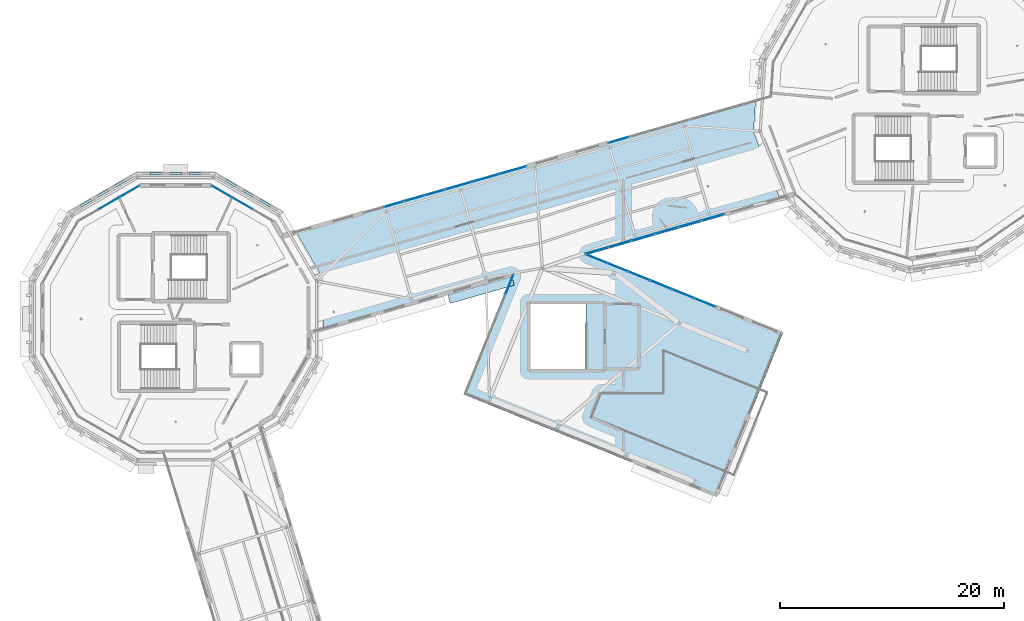
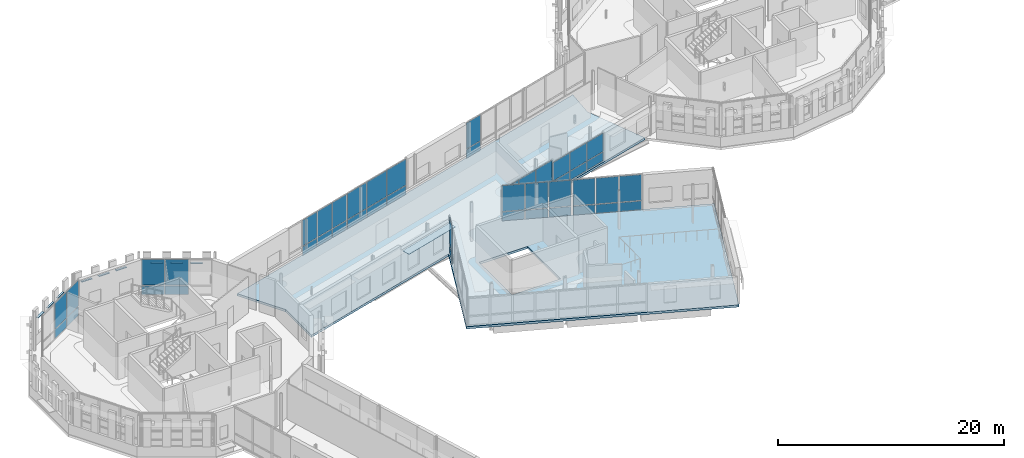
# One storey, part 75 of 125: 58 plates, 1 slab, 10 elements without a shape of their own.
"""IFC4 building model written with IfcOpenShell, lengths in metres."""

from ifc_helpers import new_model, si_unit, direction, frame, origin, origin_2d, place, context, subcontext, project, spatial, polyline, rectangle, outline, extrude, material, layer, layer_set, type_object, element, aggregate, save


model = new_model("IFC4")

# Units and contexts
model_context = context("Model", 3, precision=1e-05, world=origin(), true_north=direction((0.0, 1.0)))
body_context = subcontext(model_context, "Body", "Model", "MODEL_VIEW")
ifc_project = project(units=[si_unit("LENGTHUNIT", "METRE"), si_unit("AREAUNIT", "SQUARE_METRE"), si_unit("VOLUMEUNIT", "CUBIC_METRE"), si_unit("PLANEANGLEUNIT", "RADIAN"), si_unit("MASSUNIT", "GRAM", prefix="KILO")], contexts=[model_context])

# Site, building, storey
site_placement = place(None, origin())
site = spatial("IfcSite", under=ifc_project, at=site_placement, CompositionType="ELEMENT")
building_placement = place(site_placement, origin())
building = spatial("IfcBuilding", under=site, at=building_placement, Name="Wrenclough Park School", CompositionType="ELEMENT")
storey_placement = place(building_placement, frame((0.0, 0.0, 4.199951171875)))
storey = spatial("IfcBuildingStorey", under=building, at=storey_placement, Name="L01", CompositionType="ELEMENT", Elevation=4.199951171875)

# Curtain wall, plates
ifc_material_1 = material(Name="Thermally broken aluminium and low-e glass curtain wall", Category="aluminium")
curtain_wall_type_1 = type_object("IfcCurtainWallType", Name="ENV-CW-01", PredefinedType="USERDEFINED", material=ifc_material_1)
curtain_wall_1_placement = place(storey_placement, origin())
curtain_wall_1 = element("IfcCurtainWall", 1, at=curtain_wall_1_placement, inside=storey, type_object=curtain_wall_type_1, Name="L01 recessed curtain wall assembly 096", ObjectType="CURTAIN WALL", PredefinedType="USERDEFINED")
ifc_material_2 = material(Name="Double-glazed solar-control low-e glass", Category="glass")
ifc_layer_1 = layer(ifc_material_2, 0.02587890625)
ifc_layer_set_1 = layer_set([ifc_layer_1], Name="Double-glazed solar-control low-e glass")
plate_type_1 = type_object("IfcPlateType", Name="ENV-CWP-GL26", PredefinedType="CURTAIN_PANEL", material=ifc_layer_set_1)
plate_1_placement = place(storey_placement, frame((10.547119140625, 99.810791015625, 0.06005859375), z_axis=(0.0, 0.0, 1.0), x_axis=(0.86602591075, 0.499999121909, 0.0)))
plate_1 = element("IfcPlate", 2, at=plate_1_placement, type_object=plate_type_1, Name="CW-01 panel 2.1", PredefinedType="CURTAIN_PANEL", context=body_context, shape_type="SweptSolid", body=[
    extrude(rectangle(XDim=2.06396484375, YDim=0.02587890625, at=origin_2d()), origin(), (0.0, 0.0, 1.0), 0.9599609375),
])
plate_2_placement = place(storey_placement, frame((10.547119140625, 99.810791015625, 1.080078125), z_axis=(0.0, 0.0, 1.0), x_axis=(0.86602591075, 0.499999121909, 0.0)))
plate_2 = element("IfcPlate", 3, at=plate_2_placement, type_object=plate_type_1, Name="CW-01 panel 2.2", PredefinedType="CURTAIN_PANEL", context=body_context, shape_type="SweptSolid", body=[
    extrude(rectangle(XDim=2.06396484375, YDim=0.02587890625, at=origin_2d()), origin(), (0.0, 0.0, 1.0), 2.800048828125),
])
plate_3_placement = place(storey_placement, frame((12.37353515625, 100.865234375, 0.06005859375), z_axis=(0.0, 0.0, 1.0), x_axis=(0.86602591075, 0.499999121909, 0.0)))
plate_3 = element("IfcPlate", 4, at=plate_3_placement, type_object=plate_type_1, Name="CW-01 panel 3.1", PredefinedType="CURTAIN_PANEL", context=body_context, shape_type="SweptSolid", body=[
    extrude(rectangle(XDim=2.0341796875, YDim=0.02587890625, at=origin_2d()), origin(), (0.0, 0.0, 1.0), 0.9599609375),
])
plate_4_placement = place(storey_placement, frame((12.37353515625, 100.865234375, 1.080078125), z_axis=(0.0, 0.0, 1.0), x_axis=(0.86602591075, 0.499999121909, 0.0)))
plate_4 = element("IfcPlate", 5, at=plate_4_placement, type_object=plate_type_1, Name="CW-01 panel 3.2", PredefinedType="CURTAIN_PANEL", context=body_context, shape_type="SweptSolid", body=[
    extrude(rectangle(XDim=2.0341796875, YDim=0.02587890625, at=origin_2d()), origin(), (0.0, 0.0, 1.0), 2.800048828125),
])
aggregate(curtain_wall_1, [plate_1, plate_2, plate_3, plate_4])

curtain_wall_type_2 = type_object("IfcCurtainWallType", Name="ENV-CW-05", PredefinedType="USERDEFINED", material=ifc_material_1)
curtain_wall_2_placement = place(storey_placement, origin())
curtain_wall_2 = element("IfcCurtainWall", 6, at=curtain_wall_2_placement, inside=storey, type_object=curtain_wall_type_2, Name="L01 recessed curtain wall assembly 100", ObjectType="CURTAIN WALL", PredefinedType="USERDEFINED")
plate_5_placement = place(storey_placement, frame((56.05517578125, 105.460693359375, 0.06494140625), z_axis=(0.0, 0.0, 1.0), x_axis=(0.96152245159, 0.274726364021, 0.0)))
plate_5 = element("IfcPlate", 7, at=plate_5_placement, type_object=plate_type_1, Name="CW-05 panel 1.1", PredefinedType="CURTAIN_PANEL", context=body_context, shape_type="SweptSolid", body=[
    extrude(rectangle(XDim=1.794189453125, YDim=0.02587890625, at=origin_2d()), origin(), (0.0, 0.0, 1.0), 0.952392578125),
])
plate_6_placement = place(storey_placement, frame((56.05517578125, 105.460693359375, 1.08251953125), z_axis=(0.0, 0.0, 1.0), x_axis=(0.96152245159, 0.274726364021, 0.0)))
plate_6 = element("IfcPlate", 8, at=plate_6_placement, type_object=plate_type_1, Name="CW-05 panel 1.2", PredefinedType="CURTAIN_PANEL", context=body_context, shape_type="SweptSolid", body=[
    extrude(rectangle(XDim=1.794189453125, YDim=0.02587890625, at=origin_2d()), origin(), (0.0, 0.0, 1.0), 2.79248046875),
])
aggregate(curtain_wall_2, [plate_5, plate_6])

curtain_wall_type_3 = type_object("IfcCurtainWallType", Name="ENV-CW-13", PredefinedType="USERDEFINED", material=ifc_material_1)
curtain_wall_3_placement = place(storey_placement, origin())
curtain_wall_3 = element("IfcCurtainWall", 9, at=curtain_wall_3_placement, inside=storey, type_object=curtain_wall_type_3, Name="L01 recessed curtain wall assembly 172", ObjectType="CURTAIN WALL", PredefinedType="USERDEFINED")
plate_7_placement = place(storey_placement, frame((54.045166015625, 94.8828125, 0.06494140625), z_axis=(0.0, 0.0, 1.0), x_axis=(0.927183906329, -0.3746064653, 0.0)))
plate_7 = element("IfcPlate", 10, at=plate_7_placement, type_object=plate_type_1, Name="CW-13 panel 1.1", PredefinedType="CURTAIN_PANEL", context=body_context, shape_type="SweptSolid", body=[
    extrude(rectangle(XDim=2.004638671875, YDim=0.02587890625, at=origin_2d()), origin(), (0.0, 0.0, 1.0), 0.952392578125),
])
plate_8_placement = place(storey_placement, frame((54.045166015625, 94.8828125, 1.08251953125), z_axis=(0.0, 0.0, 1.0), x_axis=(0.927183906329, -0.3746064653, 0.0)))
plate_8 = element("IfcPlate", 11, at=plate_8_placement, type_object=plate_type_1, Name="CW-13 panel 1.2", PredefinedType="CURTAIN_PANEL", context=body_context, shape_type="SweptSolid", body=[
    extrude(rectangle(XDim=2.004638671875, YDim=0.02587890625, at=origin_2d()), origin(), (0.0, 0.0, 1.0), 2.79248046875),
])
plate_9_placement = place(storey_placement, frame((55.97900390625, 94.1015625, 0.06494140625), z_axis=(0.0, 0.0, 1.0), x_axis=(0.927183906329, -0.3746064653, 0.0)))
plate_9 = element("IfcPlate", 12, at=plate_9_placement, type_object=plate_type_1, Name="CW-13 panel 2.1", PredefinedType="CURTAIN_PANEL", context=body_context, shape_type="SweptSolid", body=[
    extrude(rectangle(XDim=2.037109375, YDim=0.02587890625, at=origin_2d()), origin(), (0.0, 0.0, 1.0), 0.952392578125),
])
plate_10_placement = place(storey_placement, frame((55.97900390625, 94.1015625, 1.08251953125), z_axis=(0.0, 0.0, 1.0), x_axis=(0.927183906329, -0.3746064653, 0.0)))
plate_10 = element("IfcPlate", 13, at=plate_10_placement, type_object=plate_type_1, Name="CW-13 panel 2.2", PredefinedType="CURTAIN_PANEL", context=body_context, shape_type="SweptSolid", body=[
    extrude(rectangle(XDim=2.037109375, YDim=0.02587890625, at=origin_2d()), origin(), (0.0, 0.0, 1.0), 2.79248046875),
])
plate_11_placement = place(storey_placement, frame((57.912841796875, 93.320068359375, 0.06494140625), z_axis=(0.0, 0.0, 1.0), x_axis=(0.927183906329, -0.3746064653, 0.0)))
plate_11 = element("IfcPlate", 14, at=plate_11_placement, type_object=plate_type_1, Name="CW-13 panel 3.1", PredefinedType="CURTAIN_PANEL", context=body_context, shape_type="SweptSolid", body=[
    extrude(rectangle(XDim=2.004638671875, YDim=0.02587890625, at=origin_2d()), origin(), (0.0, 0.0, 1.0), 0.952392578125),
])
plate_12_placement = place(storey_placement, frame((57.912841796875, 93.320068359375, 1.08251953125), z_axis=(0.0, 0.0, 1.0), x_axis=(0.927183906329, -0.3746064653, 0.0)))
plate_12 = element("IfcPlate", 15, at=plate_12_placement, type_object=plate_type_1, Name="CW-13 panel 3.2", PredefinedType="CURTAIN_PANEL", context=body_context, shape_type="SweptSolid", body=[
    extrude(rectangle(XDim=2.004638671875, YDim=0.02587890625, at=origin_2d()), origin(), (0.0, 0.0, 1.0), 2.79248046875),
])
aggregate(curtain_wall_3, [plate_7, plate_8, plate_9, plate_10, plate_11, plate_12])

curtain_wall_type_4 = type_object("IfcCurtainWallType", Name="ENV-CW-02", PredefinedType="USERDEFINED", material=ifc_material_1)
curtain_wall_4_placement = place(storey_placement, origin())
curtain_wall_4 = element("IfcCurtainWall", 16, at=curtain_wall_4_placement, inside=storey, type_object=curtain_wall_type_4, Name="L01 recessed curtain wall assembly 097", ObjectType="CURTAIN WALL", PredefinedType="USERDEFINED")
ifc_material_3 = material(Name="Double-glazed acoustic low-e glass", Category="glass")
ifc_layer_2 = layer(ifc_material_3, 0.030029296875)
ifc_layer_set_2 = layer_set([ifc_layer_2], Name="Double-glazed acoustic low-e glass")
plate_type_2 = type_object("IfcPlateType", Name="ENV-CWP-GL30", PredefinedType="CURTAIN_PANEL", material=ifc_layer_set_2)
plate_13_placement = place(storey_placement, frame((20.62744140625, 100.86474609375, 0.06494140625), z_axis=(0.0, 0.0, 1.0), x_axis=(0.86602591075, -0.499999121909, 0.0)))
plate_13 = element("IfcPlate", 17, at=plate_13_placement, type_object=plate_type_2, Name="CW-02 panel 1.1", PredefinedType="CURTAIN_PANEL", context=body_context, shape_type="SweptSolid", body=[
    extrude(rectangle(XDim=2.026611328125, YDim=0.030029296875, at=origin_2d()), origin(), (0.0, 0.0, 1.0), 0.952392578125),
])
plate_14_placement = place(storey_placement, frame((20.62744140625, 100.86474609375, 1.08251953125), z_axis=(0.0, 0.0, 1.0), x_axis=(0.86602591075, -0.499999121909, 0.0)))
plate_14 = element("IfcPlate", 18, at=plate_14_placement, type_object=plate_type_2, Name="CW-02 panel 1.2", PredefinedType="CURTAIN_PANEL", context=body_context, shape_type="SweptSolid", body=[
    extrude(rectangle(XDim=2.026611328125, YDim=0.030029296875, at=origin_2d()), origin(), (0.0, 0.0, 1.0), 2.79248046875),
])
plate_15_placement = place(storey_placement, frame((22.452880859375, 99.810791015625, 0.06494140625), z_axis=(0.0, 0.0, 1.0), x_axis=(0.86602591075, -0.499999121909, 0.0)))
plate_15 = element("IfcPlate", 19, at=plate_15_placement, type_object=plate_type_2, Name="CW-02 panel 2.1", PredefinedType="CURTAIN_PANEL", context=body_context, shape_type="SweptSolid", body=[
    extrude(rectangle(XDim=2.05908203125, YDim=0.030029296875, at=origin_2d()), origin(), (0.0, 0.0, 1.0), 0.952392578125),
])
plate_16_placement = place(storey_placement, frame((22.452880859375, 99.810791015625, 1.08251953125), z_axis=(0.0, 0.0, 1.0), x_axis=(0.86602591075, -0.499999121909, 0.0)))
plate_16 = element("IfcPlate", 20, at=plate_16_placement, type_object=plate_type_2, Name="CW-02 panel 2.2", PredefinedType="CURTAIN_PANEL", context=body_context, shape_type="SweptSolid", body=[
    extrude(rectangle(XDim=2.05908203125, YDim=0.030029296875, at=origin_2d()), origin(), (0.0, 0.0, 1.0), 2.79248046875),
])
aggregate(curtain_wall_4, [plate_13, plate_14, plate_15, plate_16])

curtain_wall_type_5 = type_object("IfcCurtainWallType", Name="ENV-CW-03", PredefinedType="USERDEFINED", material=ifc_material_1)
curtain_wall_5_placement = place(storey_placement, origin())
curtain_wall_5 = element("IfcCurtainWall", 21, at=curtain_wall_5_placement, inside=storey, type_object=curtain_wall_type_5, Name="L01 recessed curtain wall assembly 098", ObjectType="CURTAIN WALL", PredefinedType="USERDEFINED")
ifc_material_4 = material(Name="Triple-glazed senior-lab low-e glass", Category="glass")
ifc_layer_3 = layer(ifc_material_4, 0.033935546875)
ifc_layer_set_3 = layer_set([ifc_layer_3], Name="Triple-glazed senior-lab low-e glass")
plate_type_3 = type_object("IfcPlateType", Name="ENV-CWP-GL34", PredefinedType="CURTAIN_PANEL", material=ifc_layer_set_3)
plate_17_placement = place(storey_placement, frame((36.0078125, 99.73291015625, 0.06982421875), z_axis=(0.0, 0.0, 1.0), x_axis=(0.96152245159, 0.274726364021, 0.0)))
plate_17 = element("IfcPlate", 22, at=plate_17_placement, type_object=plate_type_3, Name="CW-03 panel 2.1", PredefinedType="CURTAIN_PANEL", context=body_context, shape_type="SweptSolid", body=[
    extrude(rectangle(XDim=1.82177734375, YDim=0.033935546875, at=origin_2d()), origin(), (0.0, 0.0, 1.0), 0.945068359375),
])
plate_18_placement = place(storey_placement, frame((36.0078125, 99.73291015625, 1.0849609375), z_axis=(0.0, 0.0, 1.0), x_axis=(0.96152245159, 0.274726364021, 0.0)))
plate_18 = element("IfcPlate", 23, at=plate_18_placement, type_object=plate_type_3, Name="CW-03 panel 2.2", PredefinedType="CURTAIN_PANEL", context=body_context, shape_type="SweptSolid", body=[
    extrude(rectangle(XDim=1.82177734375, YDim=0.033935546875, at=origin_2d()), origin(), (0.0, 0.0, 1.0), 2.784912109375),
])
plate_19_placement = place(storey_placement, frame((37.82666015625, 100.252685546875, 0.06982421875), z_axis=(0.0, 0.0, 1.0), x_axis=(0.96152245159, 0.274726364021, 0.0)))
plate_19 = element("IfcPlate", 24, at=plate_19_placement, type_object=plate_type_3, Name="CW-03 panel 3.1", PredefinedType="CURTAIN_PANEL", context=body_context, shape_type="SweptSolid", body=[
    extrude(rectangle(XDim=1.82177734375, YDim=0.033935546875, at=origin_2d()), origin(), (0.0, 0.0, 1.0), 0.945068359375),
])
plate_20_placement = place(storey_placement, frame((37.82666015625, 100.252685546875, 1.0849609375), z_axis=(0.0, 0.0, 1.0), x_axis=(0.96152245159, 0.274726364021, 0.0)))
plate_20 = element("IfcPlate", 25, at=plate_20_placement, type_object=plate_type_3, Name="CW-03 panel 3.2", PredefinedType="CURTAIN_PANEL", context=body_context, shape_type="SweptSolid", body=[
    extrude(rectangle(XDim=1.82177734375, YDim=0.033935546875, at=origin_2d()), origin(), (0.0, 0.0, 1.0), 2.784912109375),
])
plate_21_placement = place(storey_placement, frame((39.62890625, 100.767578125, 0.06982421875), z_axis=(0.0, 0.0, 1.0), x_axis=(0.96152245159, 0.274726364021, 0.0)))
plate_21 = element("IfcPlate", 26, at=plate_21_placement, type_object=plate_type_3, Name="CW-03 panel 4.1", PredefinedType="CURTAIN_PANEL", context=body_context, shape_type="SweptSolid", body=[
    extrude(rectangle(XDim=1.786865234375, YDim=0.033935546875, at=origin_2d()), origin(), (0.0, 0.0, 1.0), 0.945068359375),
])
plate_22_placement = place(storey_placement, frame((39.62890625, 100.767578125, 1.0849609375), z_axis=(0.0, 0.0, 1.0), x_axis=(0.96152245159, 0.274726364021, 0.0)))
plate_22 = element("IfcPlate", 27, at=plate_22_placement, type_object=plate_type_3, Name="CW-03 panel 4.2", PredefinedType="CURTAIN_PANEL", context=body_context, shape_type="SweptSolid", body=[
    extrude(rectangle(XDim=1.786865234375, YDim=0.033935546875, at=origin_2d()), origin(), (0.0, 0.0, 1.0), 2.784912109375),
])
aggregate(curtain_wall_5, [plate_17, plate_18, plate_19, plate_20, plate_21, plate_22])

curtain_wall_type_6 = type_object("IfcCurtainWallType", Name="ENV-CW-11", PredefinedType="USERDEFINED", material=ifc_material_1)
curtain_wall_6_placement = place(storey_placement, origin())
curtain_wall_6 = element("IfcCurtainWall", 28, at=curtain_wall_6_placement, inside=storey, type_object=curtain_wall_type_6, Name="L01 recessed curtain wall assembly 170", ObjectType="CURTAIN WALL", PredefinedType="USERDEFINED")
plate_23_placement = place(storey_placement, frame((64.505859375, 98.556640625, 0.06982421875), z_axis=(0.0, 0.0, 1.0), x_axis=(-0.961527430497, -0.274708937607, 0.0)))
plate_23 = element("IfcPlate", 29, at=plate_23_placement, type_object=plate_type_3, Name="CW-11 panel 1.1", PredefinedType="CURTAIN_PANEL", context=body_context, shape_type="SweptSolid", body=[
    extrude(rectangle(XDim=2.06201171875, YDim=0.033935546875, at=origin_2d()), origin(), (0.0, 0.0, 1.0), 0.945068359375),
])
plate_24_placement = place(storey_placement, frame((64.505859375, 98.556640625, 1.0849609375), z_axis=(0.0, 0.0, 1.0), x_axis=(-0.961527430497, -0.274708937607, 0.0)))
plate_24 = element("IfcPlate", 30, at=plate_24_placement, type_object=plate_type_3, Name="CW-11 panel 1.2", PredefinedType="CURTAIN_PANEL", context=body_context, shape_type="SweptSolid", body=[
    extrude(rectangle(XDim=2.06201171875, YDim=0.033935546875, at=origin_2d()), origin(), (0.0, 0.0, 1.0), 1.97705078125),
])
plate_25_placement = place(storey_placement, frame((62.439208984375, 97.96630859375, 0.06982421875), z_axis=(0.0, 0.0, 1.0), x_axis=(-0.961527430497, -0.274708937607, 0.0)))
plate_25 = element("IfcPlate", 31, at=plate_25_placement, type_object=plate_type_3, Name="CW-11 panel 2.1", PredefinedType="CURTAIN_PANEL", context=body_context, shape_type="SweptSolid", body=[
    extrude(rectangle(XDim=2.096923828125, YDim=0.033935546875, at=origin_2d()), origin(), (0.0, 0.0, 1.0), 0.945068359375),
])
plate_26_placement = place(storey_placement, frame((62.439208984375, 97.96630859375, 1.0849609375), z_axis=(0.0, 0.0, 1.0), x_axis=(-0.961527430497, -0.274708937607, 0.0)))
plate_26 = element("IfcPlate", 32, at=plate_26_placement, type_object=plate_type_3, Name="CW-11 panel 2.2", PredefinedType="CURTAIN_PANEL", context=body_context, shape_type="SweptSolid", body=[
    extrude(rectangle(XDim=2.096923828125, YDim=0.033935546875, at=origin_2d()), origin(), (0.0, 0.0, 1.0), 1.97705078125),
])
plate_27_placement = place(storey_placement, frame((60.372314453125, 97.375732421875, 0.06982421875), z_axis=(0.0, 0.0, 1.0), x_axis=(-0.961527430497, -0.274708937607, 0.0)))
plate_27 = element("IfcPlate", 33, at=plate_27_placement, type_object=plate_type_3, Name="CW-11 panel 3.1", PredefinedType="CURTAIN_PANEL", context=body_context, shape_type="SweptSolid", body=[
    extrude(rectangle(XDim=2.06201171875, YDim=0.033935546875, at=origin_2d()), origin(), (0.0, 0.0, 1.0), 0.945068359375),
])
plate_28_placement = place(storey_placement, frame((60.372314453125, 97.375732421875, 1.0849609375), z_axis=(0.0, 0.0, 1.0), x_axis=(-0.961527430497, -0.274708937607, 0.0)))
plate_28 = element("IfcPlate", 34, at=plate_28_placement, type_object=plate_type_3, Name="CW-11 panel 3.2", PredefinedType="CURTAIN_PANEL", context=body_context, shape_type="SweptSolid", body=[
    extrude(rectangle(XDim=2.06201171875, YDim=0.033935546875, at=origin_2d()), origin(), (0.0, 0.0, 1.0), 1.97705078125),
])
aggregate(curtain_wall_6, [plate_23, plate_24, plate_25, plate_26, plate_27, plate_28])

curtain_wall_7_placement = place(storey_placement, origin())
curtain_wall_7 = element("IfcCurtainWall", 35, at=curtain_wall_7_placement, inside=storey, type_object=curtain_wall_type_5, Name="L01 recessed curtain wall assembly 178", ObjectType="CURTAIN WALL", PredefinedType="USERDEFINED")
plate_29_placement = place(storey_placement, frame((46.32421875, 92.56103515625, 0.06494140625), z_axis=(0.0, 0.0, 1.0), x_axis=(0.374603668605, 0.927185036262, 0.0)))
plate_29 = element("IfcPlate", 36, at=plate_29_placement, type_object=plate_type_3, Name="CW-03 panel 3.1", PredefinedType="CURTAIN_PANEL", context=body_context, shape_type="SweptSolid", body=[
    extrude(rectangle(XDim=1.815185546875, YDim=0.033935546875, at=origin_2d()), origin(), (0.0, 0.0, 1.0), 0.952392578125),
])
plate_30_placement = place(storey_placement, frame((46.32421875, 92.56103515625, 1.08251953125), z_axis=(0.0, 0.0, 1.0), x_axis=(0.374603668605, 0.927185036262, 0.0)))
plate_30 = element("IfcPlate", 37, at=plate_30_placement, type_object=plate_type_3, Name="CW-03 panel 3.2", PredefinedType="CURTAIN_PANEL", context=body_context, shape_type="SweptSolid", body=[
    extrude(rectangle(XDim=1.815185546875, YDim=0.033935546875, at=origin_2d()), origin(), (0.0, 0.0, 1.0), 2.79248046875),
])
aggregate(curtain_wall_7, [plate_29, plate_30])

curtain_wall_type_7 = type_object("IfcCurtainWallType", Name="ENV-CW-04", PredefinedType="USERDEFINED", material=ifc_material_1)
curtain_wall_8_placement = place(storey_placement, origin())
curtain_wall_8 = element("IfcCurtainWall", 38, at=curtain_wall_8_placement, inside=storey, type_object=curtain_wall_type_7, Name="L01 recessed curtain wall assembly 099", ObjectType="CURTAIN WALL", PredefinedType="USERDEFINED")
ifc_material_5 = material(Name="Laminated sports-concourse safety glass", Category="glass")
ifc_layer_4 = layer(ifc_material_5, 0.0380859375)
ifc_layer_set_4 = layer_set([ifc_layer_4], Name="Laminated sports-concourse safety glass")
plate_type_4 = type_object("IfcPlateType", Name="ENV-CWP-GL38", PredefinedType="CURTAIN_PANEL", material=ifc_layer_set_4)
plate_31_placement = place(storey_placement, frame((41.789794921875, 101.385009765625, 0.06005859375), z_axis=(0.0, 0.0, 1.0), x_axis=(0.961526939627, 0.274710655729, 0.0)))
plate_31 = element("IfcPlate", 39, at=plate_31_placement, type_object=plate_type_4, Name="CW-04 panel 1.1", PredefinedType="CURTAIN_PANEL", context=body_context, shape_type="SweptSolid", body=[
    extrude(rectangle(XDim=2.432373046875, YDim=0.0380859375, at=origin_2d()), origin(), (0.0, 0.0, 1.0), 0.9599609375),
])
plate_32_placement = place(storey_placement, frame((41.789794921875, 101.385009765625, 1.080078125), z_axis=(0.0, 0.0, 1.0), x_axis=(0.961526939627, 0.274710655729, 0.0)))
plate_32 = element("IfcPlate", 40, at=plate_32_placement, type_object=plate_type_4, Name="CW-04 panel 1.2", PredefinedType="CURTAIN_PANEL", context=body_context, shape_type="SweptSolid", body=[
    extrude(rectangle(XDim=2.432373046875, YDim=0.0380859375, at=origin_2d()), origin(), (0.0, 0.0, 1.0), 2.800048828125),
])
plate_33_placement = place(storey_placement, frame((44.200927734375, 102.07373046875, 0.06005859375), z_axis=(0.0, 0.0, 1.0), x_axis=(0.961526939627, 0.274710655729, 0.0)))
plate_33 = element("IfcPlate", 41, at=plate_33_placement, type_object=plate_type_4, Name="CW-04 panel 2.1", PredefinedType="CURTAIN_PANEL", context=body_context, shape_type="SweptSolid", body=[
    extrude(rectangle(XDim=2.46240234375, YDim=0.0380859375, at=origin_2d()), origin(), (0.0, 0.0, 1.0), 0.9599609375),
])
plate_34_placement = place(storey_placement, frame((44.200927734375, 102.07373046875, 1.080078125), z_axis=(0.0, 0.0, 1.0), x_axis=(0.961526939627, 0.274710655729, 0.0)))
plate_34 = element("IfcPlate", 42, at=plate_34_placement, type_object=plate_type_4, Name="CW-04 panel 2.2", PredefinedType="CURTAIN_PANEL", context=body_context, shape_type="SweptSolid", body=[
    extrude(rectangle(XDim=2.46240234375, YDim=0.0380859375, at=origin_2d()), origin(), (0.0, 0.0, 1.0), 2.800048828125),
])
plate_35_placement = place(storey_placement, frame((46.61181640625, 102.7626953125, 0.06005859375), z_axis=(0.0, 0.0, 1.0), x_axis=(0.961526939627, 0.274710655729, 0.0)))
plate_35 = element("IfcPlate", 43, at=plate_35_placement, type_object=plate_type_4, Name="CW-04 panel 3.1", PredefinedType="CURTAIN_PANEL", context=body_context, shape_type="SweptSolid", body=[
    extrude(rectangle(XDim=2.432373046875, YDim=0.0380859375, at=origin_2d()), origin(), (0.0, 0.0, 1.0), 0.9599609375),
])
plate_36_placement = place(storey_placement, frame((46.61181640625, 102.7626953125, 1.080078125), z_axis=(0.0, 0.0, 1.0), x_axis=(0.961526939627, 0.274710655729, 0.0)))
plate_36 = element("IfcPlate", 44, at=plate_36_placement, type_object=plate_type_4, Name="CW-04 panel 3.2", PredefinedType="CURTAIN_PANEL", context=body_context, shape_type="SweptSolid", body=[
    extrude(rectangle(XDim=2.432373046875, YDim=0.0380859375, at=origin_2d()), origin(), (0.0, 0.0, 1.0), 2.800048828125),
])
aggregate(curtain_wall_8, [plate_31, plate_32, plate_33, plate_34, plate_35, plate_36])

curtain_wall_type_8 = type_object("IfcCurtainWallType", Name="ENV-CW-12", PredefinedType="USERDEFINED", material=ifc_material_1)
curtain_wall_9_placement = place(storey_placement, origin())
curtain_wall_9 = element("IfcCurtainWall", 45, at=curtain_wall_9_placement, inside=storey, type_object=curtain_wall_type_8, Name="L01 recessed curtain wall assembly 171", ObjectType="CURTAIN WALL", PredefinedType="USERDEFINED")
plate_37_placement = place(storey_placement, frame((58.25, 96.769287109375, 0.06005859375), z_axis=(0.0, 0.0, 1.0), x_axis=(-0.961523367152, -0.274723159598, 0.0)))
plate_37 = element("IfcPlate", 46, at=plate_37_placement, type_object=plate_type_4, Name="CW-12 panel 1.1", PredefinedType="CURTAIN_PANEL", context=body_context, shape_type="SweptSolid", body=[
    extrude(rectangle(XDim=2.076904296875, YDim=0.0380859375, at=origin_2d()), origin(), (0.0, 0.0, 1.0), 0.9599609375),
])
plate_38_placement = place(storey_placement, frame((58.25, 96.769287109375, 1.080078125), z_axis=(0.0, 0.0, 1.0), x_axis=(-0.961523367152, -0.274723159598, 0.0)))
plate_38 = element("IfcPlate", 47, at=plate_38_placement, type_object=plate_type_4, Name="CW-12 panel 1.2", PredefinedType="CURTAIN_PANEL", context=body_context, shape_type="SweptSolid", body=[
    extrude(rectangle(XDim=2.076904296875, YDim=0.0380859375, at=origin_2d()), origin(), (0.0, 0.0, 1.0), 2.31689453125),
])
plate_39_placement = place(storey_placement, frame((56.180908203125, 96.17822265625, 0.06005859375), z_axis=(0.0, 0.0, 1.0), x_axis=(-0.961523367152, -0.274723159598, 0.0)))
plate_39 = element("IfcPlate", 48, at=plate_39_placement, type_object=plate_type_4, Name="CW-12 panel 2.1", PredefinedType="CURTAIN_PANEL", context=body_context, shape_type="SweptSolid", body=[
    extrude(rectangle(XDim=2.10693359375, YDim=0.0380859375, at=origin_2d()), origin(), (0.0, 0.0, 1.0), 0.9599609375),
])
plate_40_placement = place(storey_placement, frame((56.180908203125, 96.17822265625, 1.080078125), z_axis=(0.0, 0.0, 1.0), x_axis=(-0.961523367152, -0.274723159598, 0.0)))
plate_40 = element("IfcPlate", 49, at=plate_40_placement, type_object=plate_type_4, Name="CW-12 panel 2.2", PredefinedType="CURTAIN_PANEL", context=body_context, shape_type="SweptSolid", body=[
    extrude(rectangle(XDim=2.10693359375, YDim=0.0380859375, at=origin_2d()), origin(), (0.0, 0.0, 1.0), 2.31689453125),
])
plate_41_placement = place(storey_placement, frame((54.11181640625, 95.5869140625, 0.06005859375), z_axis=(0.0, 0.0, 1.0), x_axis=(-0.961523367152, -0.274723159598, 0.0)))
plate_41 = element("IfcPlate", 50, at=plate_41_placement, type_object=plate_type_4, Name="CW-12 panel 3.1", PredefinedType="CURTAIN_PANEL", context=body_context, shape_type="SweptSolid", body=[
    extrude(rectangle(XDim=2.076904296875, YDim=0.0380859375, at=origin_2d()), origin(), (0.0, 0.0, 1.0), 0.9599609375),
])
plate_42_placement = place(storey_placement, frame((54.11181640625, 95.5869140625, 1.080078125), z_axis=(0.0, 0.0, 1.0), x_axis=(-0.961523367152, -0.274723159598, 0.0)))
plate_42 = element("IfcPlate", 51, at=plate_42_placement, type_object=plate_type_4, Name="CW-12 panel 3.2", PredefinedType="CURTAIN_PANEL", context=body_context, shape_type="SweptSolid", body=[
    extrude(rectangle(XDim=2.076904296875, YDim=0.0380859375, at=origin_2d()), origin(), (0.0, 0.0, 1.0), 2.31689453125),
])
aggregate(curtain_wall_9, [plate_37, plate_38, plate_39, plate_40, plate_41, plate_42])

curtain_wall_type_9 = type_object("IfcCurtainWallType", Name="ENV-CW-14", PredefinedType="USERDEFINED", material=ifc_material_1)
curtain_wall_10_placement = place(storey_placement, origin())
curtain_wall_10 = element("IfcCurtainWall", 52, at=curtain_wall_10_placement, inside=storey, type_object=curtain_wall_type_9, Name="L01 recessed curtain wall assembly 173", ObjectType="CURTAIN WALL", PredefinedType="USERDEFINED")
ifc_material_6 = material(Name="Insulated anodised aluminium spandrel panel", Category="aluminium")
ifc_layer_5 = layer(ifc_material_6, 0.0419921875)
ifc_layer_set_5 = layer_set([ifc_layer_5], Name="Insulated anodised aluminium spandrel panel")
plate_type_5 = type_object("IfcPlateType", Name="ENV-CWP-SP42", PredefinedType="CURTAIN_PANEL", material=ifc_layer_set_5)
plate_43_placement = place(storey_placement, frame((59.900390625, 92.51708984375, 0.06982421875), z_axis=(0.0, 0.0, 1.0), x_axis=(0.927189414101, -0.374592832791, 0.0)))
plate_43 = element("IfcPlate", 53, at=plate_43_placement, type_object=plate_type_5, Name="CW-14 panel 1.1", PredefinedType="CURTAIN_PANEL", context=body_context, shape_type="SweptSolid", body=[
    extrude(rectangle(XDim=1.9970703125, YDim=0.0419921875, at=origin_2d()), origin(), (0.0, 0.0, 1.0), 0.945068359375),
])
plate_44_placement = place(storey_placement, frame((59.900390625, 92.51708984375, 1.0849609375), z_axis=(0.0, 0.0, 1.0), x_axis=(0.927189414101, -0.374592832791, 0.0)))
plate_44 = element("IfcPlate", 54, at=plate_44_placement, type_object=plate_type_5, Name="CW-14 panel 1.2", PredefinedType="CURTAIN_PANEL", context=body_context, shape_type="SweptSolid", body=[
    extrude(rectangle(XDim=1.9970703125, YDim=0.0419921875, at=origin_2d()), origin(), (0.0, 0.0, 1.0), 2.784912109375),
])
plate_45_placement = place(storey_placement, frame((61.833251953125, 91.736083984375, 0.06982421875), z_axis=(0.0, 0.0, 1.0), x_axis=(0.927189414101, -0.374592832791, 0.0)))
plate_45 = element("IfcPlate", 55, at=plate_45_placement, type_object=plate_type_5, Name="CW-14 panel 2.1", PredefinedType="CURTAIN_PANEL", context=body_context, shape_type="SweptSolid", body=[
    extrude(rectangle(XDim=2.031982421875, YDim=0.0419921875, at=origin_2d()), origin(), (0.0, 0.0, 1.0), 0.945068359375),
])
plate_46_placement = place(storey_placement, frame((61.833251953125, 91.736083984375, 1.0849609375), z_axis=(0.0, 0.0, 1.0), x_axis=(0.927189414101, -0.374592832791, 0.0)))
plate_46 = element("IfcPlate", 56, at=plate_46_placement, type_object=plate_type_5, Name="CW-14 panel 2.2", PredefinedType="CURTAIN_PANEL", context=body_context, shape_type="SweptSolid", body=[
    extrude(rectangle(XDim=2.031982421875, YDim=0.0419921875, at=origin_2d()), origin(), (0.0, 0.0, 1.0), 2.784912109375),
])
plate_47_placement = place(storey_placement, frame((63.765869140625, 90.955322265625, 0.06982421875), z_axis=(0.0, 0.0, 1.0), x_axis=(0.927189414101, -0.374592832791, 0.0)))
plate_47 = element("IfcPlate", 57, at=plate_47_placement, type_object=plate_type_5, Name="CW-14 panel 3.1", PredefinedType="CURTAIN_PANEL", context=body_context, shape_type="SweptSolid", body=[
    extrude(rectangle(XDim=1.9970703125, YDim=0.0419921875, at=origin_2d()), origin(), (0.0, 0.0, 1.0), 0.945068359375),
])
plate_48_placement = place(storey_placement, frame((63.765869140625, 90.955322265625, 1.0849609375), z_axis=(0.0, 0.0, 1.0), x_axis=(0.927189414101, -0.374592832791, 0.0)))
plate_48 = element("IfcPlate", 58, at=plate_48_placement, type_object=plate_type_5, Name="CW-14 panel 3.2", PredefinedType="CURTAIN_PANEL", context=body_context, shape_type="SweptSolid", body=[
    extrude(rectangle(XDim=1.9970703125, YDim=0.0419921875, at=origin_2d()), origin(), (0.0, 0.0, 1.0), 2.784912109375),
])
aggregate(curtain_wall_10, [plate_43, plate_44, plate_45, plate_46, plate_47, plate_48])

# Plates
ifc_material_7 = material(Name="Anodised architectural aluminium solar shading fin plate", Category="aluminium")
ifc_layer_6 = layer(ifc_material_7, 0.0380859375)
ifc_layer_set_6 = layer_set([ifc_layer_6], Name="Anodised architectural aluminium solar shading fin plate")
plate_type_6 = type_object("IfcPlateType", Name="ENV-PL-BSF", PredefinedType="SHEET", material=ifc_layer_set_6)
for number, where, z_axis, x_axis, name in (
    (59, (24.50244140625, 99.8408203125, 2.72216796875), (0.0, 0.0, 1.0), (-0.866030885401, 0.499990505441, 0.0), "D3 L01 open-bond brick screen tie band 0205"),
    (60, (22.978271484375, 100.720703125, 2.72216796875), (0.0, 0.0, 1.0), (-0.866030885401, 0.499990505441, 0.0), "D3 L01 open-bond brick screen tie band 0206"),
    (61, (21.4541015625, 101.600830078125, 2.72216796875), (0.0, 0.0, 1.0), (-0.866030885401, 0.499990505441, 0.0), "D3 L01 open-bond brick screen tie band 0207"),
):
    element("IfcPlate", number, at=place(storey_placement, frame(where, z_axis=z_axis, x_axis=x_axis)), inside=storey, type_object=plate_type_6, Name=name, PredefinedType="SHEET", context=body_context, shape_type="SweptSolid", body=[
        extrude(rectangle(XDim=1.071044921875, YDim=0.219970703125, at=origin_2d()), origin(), (0.0, 0.0, 1.0), 0.0419921875),
    ])
plate_49_placement = place(storey_placement, frame((18.260009765625, 102.45654296875, 2.72216796875), z_axis=(0.0, 0.0, 1.0), x_axis=(-1.0, 0.0, 0.0)))
element("IfcPlate", 62, at=plate_49_placement, inside=storey, type_object=plate_type_6, Name="D3 L01 open-bond brick screen tie band 0208", PredefinedType="SHEET", context=body_context, shape_type="SweptSolid", body=[
    extrude(rectangle(XDim=1.07080078125, YDim=0.219970703125, at=origin_2d()), origin(), (0.0, 0.0, 1.0), 0.0419921875),
])
plate_50_placement = place(storey_placement, frame((16.5, 102.45654296875, 2.72216796875), z_axis=(0.0, 0.0, 1.0), x_axis=(-1.0, 0.0, 0.0)))
element("IfcPlate", 63, at=plate_50_placement, inside=storey, type_object=plate_type_6, Name="D3 L01 open-bond brick screen tie band 0209", PredefinedType="SHEET", context=body_context, shape_type="SweptSolid", body=[
    extrude(rectangle(XDim=1.071044921875, YDim=0.219970703125, at=origin_2d()), origin(), (0.0, 0.0, 1.0), 0.0419921875),
])
plate_51_placement = place(storey_placement, frame((14.739990234375, 102.45654296875, 2.72216796875), z_axis=(0.0, 0.0, 1.0), x_axis=(-1.0, 0.0, 0.0)))
element("IfcPlate", 64, at=plate_51_placement, inside=storey, type_object=plate_type_6, Name="D3 L01 open-bond brick screen tie band 0210", PredefinedType="SHEET", context=body_context, shape_type="SweptSolid", body=[
    extrude(rectangle(XDim=1.07080078125, YDim=0.219970703125, at=origin_2d()), origin(), (0.0, 0.0, 1.0), 0.0419921875),
])
for number, where, z_axis, x_axis, name in (
    (65, (11.5458984375, 101.600830078125, 2.72216796875), (0.0, 0.0, 1.0), (-0.866030885401, -0.499990505441, 0.0), "D3 L01 open-bond brick screen tie band 0211"),
    (66, (10.021728515625, 100.720703125, 2.72216796875), (0.0, 0.0, 1.0), (-0.866030885401, -0.499990505441, 0.0), "D3 L01 open-bond brick screen tie band 0212"),
    (67, (8.49755859375, 99.8408203125, 2.72216796875), (0.0, 0.0, 1.0), (-0.866030885401, -0.499990505441, 0.0), "D3 L01 open-bond brick screen tie band 0213"),
):
    element("IfcPlate", number, at=place(storey_placement, frame(where, z_axis=z_axis, x_axis=x_axis)), inside=storey, type_object=plate_type_6, Name=name, PredefinedType="SHEET", context=body_context, shape_type="SweptSolid", body=[
        extrude(rectangle(XDim=1.071044921875, YDim=0.219970703125, at=origin_2d()), origin(), (0.0, 0.0, 1.0), 0.0419921875),
    ])
plate_52_placement = place(storey_placement, frame((43.79443359375, 92.064453125, 3.28466796875), z_axis=(0.0, 0.0, 1.0), x_axis=(-0.961525733631, -0.274714876856, 0.0)))
element("IfcPlate", 68, at=plate_52_placement, inside=storey, type_object=plate_type_6, Name="L01 link wing sun-side brise-soleil blade 0168", PredefinedType="SHEET", context=body_context, shape_type="SweptSolid", body=[
    extrude(rectangle(XDim=5.938720703125, YDim=0.800048828125, at=origin_2d()), origin(), (0.0, 0.0, 1.0), 0.0380859375),
])

# Slab
ifc_material_8 = material(Name="Concrete C32/40", Category="concrete")
ifc_layer_7 = layer(ifc_material_8, 0.239990234375)
ifc_layer_set_7 = layer_set([ifc_layer_7], Name="Concrete C32/40")
slab_type = type_object("IfcSlabType", Name="STR-SL-FL240", PredefinedType="FLOOR", material=ifc_layer_set_7)
slab_placement = place(storey_placement, frame((0.0, 0.0, -0.239990234375)))
element("IfcSlab", 69, at=slab_placement, inside=storey, type_object=slab_type, Name="W34 L01 structural slab SLAB-W34-L01", PredefinedType="FLOOR", context=body_context, shape_type="SweptSolid", body=[
    extrude(outline(polyline([(53.42041015625, 95.2646484375), (70.537109375, 100.155029296875), (68.1357421875, 106.1435546875), (68.332763671875, 109.093505859375), (27.19970703125, 97.341064453125), (29.68408203125, 93.035400390625), (29.6865234375, 88.483642578125), (46.486572265625, 93.283447265625), (42.22900390625, 82.745361328125), (64.852294921875, 73.60498046875), (70.77099609375, 88.254638671875), (53.42041015625, 95.2646484375)]), holes=[polyline([(48.199951171875, 85.0), (53.152099609375, 85.0), (53.152099609375, 90.800048828125), (48.199951171875, 90.800048828125), (48.199951171875, 85.0)])]), origin(), (0.0, 0.0, 1.0), 0.239990234375),
])

save(model, "model.ifc")
